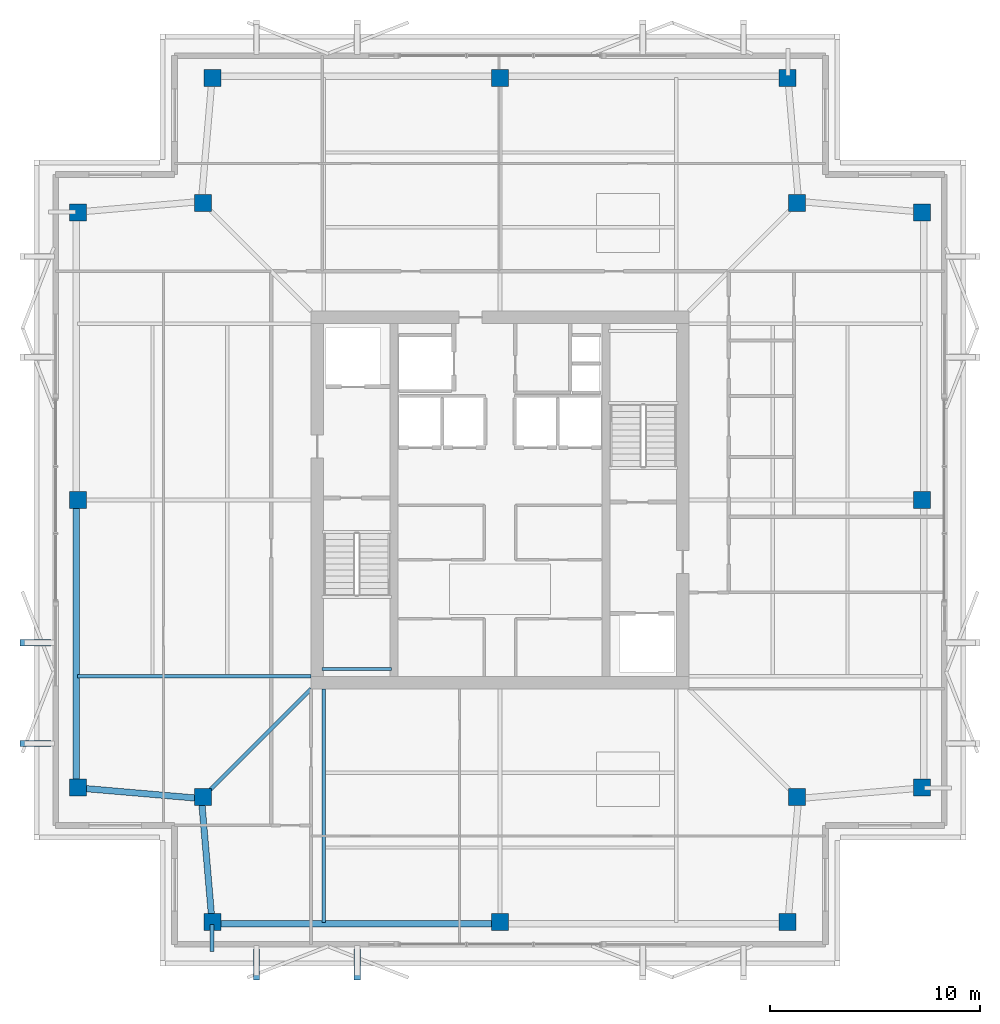
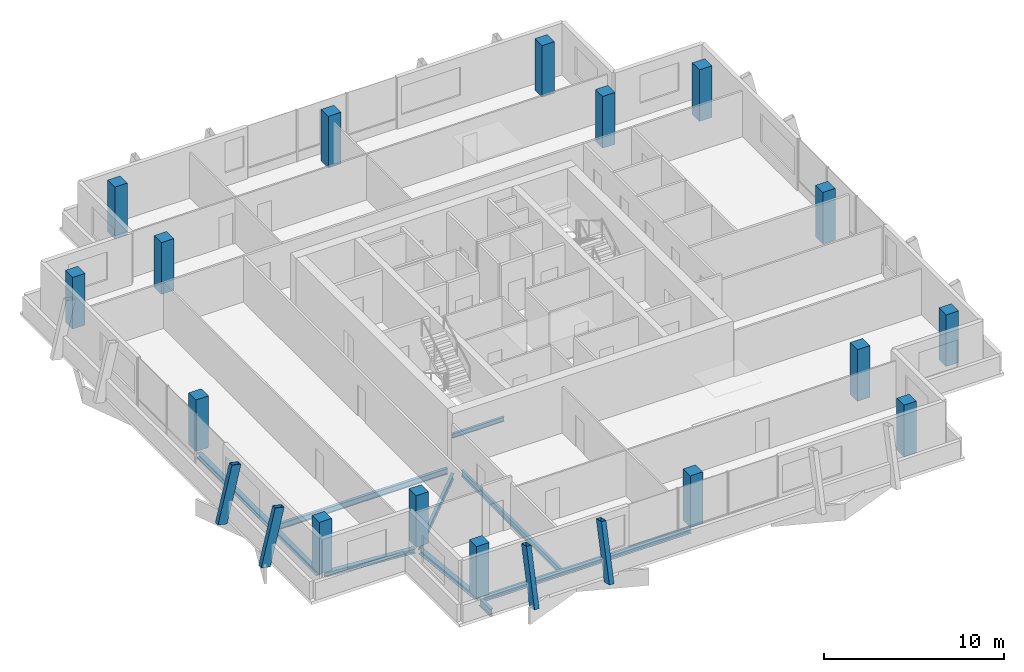
# One storey, part 1 of 18: 16 columns, 9 beams, 4 members.
"""IFC4 building model written with IfcOpenShell, lengths in metres."""

from ifc_helpers import new_model, si_unit, direction, frame, origin, origin_2d, place, context, subcontext, project, spatial, rectangle, hollow_rectangle, i_section, extrude, material, material_profile, profile_set, type_object, element, save


model = new_model("IFC4")

# Units and contexts
model_context = context("Model", 3, precision=1e-05, world=origin(), true_north=direction((0.0, 1.0)))
body_context = subcontext(model_context, "Body", "Model", "MODEL_VIEW")
ifc_project = project(units=[si_unit("LENGTHUNIT", "METRE"), si_unit("AREAUNIT", "SQUARE_METRE"), si_unit("VOLUMEUNIT", "CUBIC_METRE"), si_unit("PLANEANGLEUNIT", "RADIAN"), si_unit("MASSUNIT", "GRAM", prefix="KILO")], contexts=[model_context])

# Site, building, storey
site_placement = place(None, origin())
site = spatial("IfcSite", under=ifc_project, at=site_placement, CompositionType="ELEMENT")
building_placement = place(site_placement, origin())
building = spatial("IfcBuilding", under=site, at=building_placement, Name="Belovzor Exchange Tower", CompositionType="ELEMENT")
storey_placement = place(building_placement, frame((0.0, 0.0, 344.25)))
storey = spatial("IfcBuildingStorey", under=building, at=storey_placement, Name="L86", CompositionType="ELEMENT", Elevation=344.25)

# Columns
ifc_material_1 = material(Name="Concrete C50/60", Category="concrete")
ifc_material_profile_1 = material_profile(ifc_material_1, rectangle(XDim=0.800048828125, YDim=0.800048828125, at=origin_2d()))
ifc_profile_set_1 = profile_set([ifc_material_profile_1], Name="Concrete C50/60")
column_type = type_object("IfcColumnType", Name="Reinforced Concrete Tower Column 800x800", PredefinedType="COLUMN", material=ifc_profile_set_1)
for number, where, z_axis, x_axis, name in (
    (1, (15.10009765625, 8.699951171875, 0.0029296875), (0.0, 0.0, 1.0), (1.0, 0.0, 0.0), "COL-T080 Reinforced Concrete Tower Column 800x800"),
    (2, (28.800048828125, 8.699951171875, 0.0029296875), (0.0, 0.0, 1.0), (1.0, 0.0, 0.0), "COL-T080 Reinforced Concrete Tower Column 800x800"),
    (3, (42.5, 8.699951171875, 0.0029296875), (0.0, 0.0, 1.0), (1.0, 0.0, 0.0), "COL-T080 Reinforced Concrete Tower Column 800x800"),
    (4, (48.89990234375, 15.10009765625, 0.0029296875), (0.0, 0.0, 1.0), (1.0, 0.0, 0.0), "COL-T080 Reinforced Concrete Tower Column 800x800"),
    (5, (48.89990234375, 28.800048828125, 0.0029296875), (0.0, 0.0, 1.0), (1.0, 0.0, 0.0), "COL-T080 Reinforced Concrete Tower Column 800x800"),
    (6, (48.89990234375, 42.5, 0.0029296875), (0.0, 0.0, 1.0), (1.0, 0.0, 0.0), "COL-T080 Reinforced Concrete Tower Column 800x800"),
    (7, (42.5, 48.89990234375, 0.0029296875), (0.0, 0.0, 1.0), (1.0, 0.0, 0.0), "COL-T080 Reinforced Concrete Tower Column 800x800"),
    (8, (28.800048828125, 48.89990234375, 0.0029296875), (0.0, 0.0, 1.0), (1.0, 0.0, 0.0), "COL-T080 Reinforced Concrete Tower Column 800x800"),
    (9, (15.10009765625, 48.89990234375, 0.0029296875), (0.0, 0.0, 1.0), (1.0, 0.0, 0.0), "COL-T080 Reinforced Concrete Tower Column 800x800"),
    (10, (8.699951171875, 42.5, 0.0029296875), (0.0, 0.0, 1.0), (1.0, 0.0, 0.0), "COL-T080 Reinforced Concrete Tower Column 800x800"),
    (11, (8.699951171875, 28.800048828125, 0.0029296875), (0.0, 0.0, 1.0), (1.0, 0.0, 0.0), "COL-T080 Reinforced Concrete Tower Column 800x800"),
    (12, (8.699951171875, 15.10009765625, 0.0029296875), (0.0, 0.0, 1.0), (1.0, 0.0, 0.0), "COL-T080 Reinforced Concrete Tower Column 800x800"),
    (13, (14.64990234375, 14.64990234375, 0.0029296875), (0.0, 0.0, 1.0), (1.0, 0.0, 0.0), "COL-T080 Reinforced Concrete Tower Column 800x800"),
    (14, (42.949951171875, 14.64990234375, 0.0029296875), (0.0, 0.0, 1.0), (1.0, 0.0, 0.0), "COL-T080 Reinforced Concrete Tower Column 800x800"),
    (15, (42.949951171875, 42.949951171875, 0.0029296875), (0.0, 0.0, 1.0), (1.0, 0.0, 0.0), "COL-T080 Reinforced Concrete Tower Column 800x800"),
    (16, (14.64990234375, 42.949951171875, 0.0029296875), (0.0, 0.0, 1.0), (1.0, 0.0, 0.0), "COL-T080 Reinforced Concrete Tower Column 800x800"),
):
    element("IfcColumn", number, at=place(storey_placement, frame(where, z_axis=z_axis, x_axis=x_axis)), inside=storey, type_object=column_type, Name=name, PredefinedType="COLUMN", context=body_context, shape_type="SweptSolid", body=[
        extrude(rectangle(XDim=0.800048828125, YDim=0.800048828125, at=origin_2d()), origin(), (0.0, 0.0, 1.0), 3.504150390625),
    ])

# Beams
ifc_material_2 = material(Name="Steel S355", Category="steel")
ifc_material_profile_2 = material_profile(ifc_material_2, i_section(OverallWidth=0.199951171875, OverallDepth=0.5, WebThickness=0.01025390625, FlangeThickness=0.01611328125, at=origin_2d()))
ifc_profile_set_2 = profile_set([ifc_material_profile_2], Name="Steel S355")
beam_type_1 = type_object("IfcBeamType", Name="Planted Balcony Cantilever Beam IPE 500", PredefinedType="BEAM", material=ifc_profile_set_2)
beam_1_placement = place(storey_placement, frame((15.0869140625, 8.58203125, -0.489990234375), z_axis=(0.0, -1.0, 0.0), x_axis=(1.0, 0.0, 0.0)))
element("IfcBeam", 17, at=beam_1_placement, inside=storey, type_object=beam_type_1, Name="BC-500 Planted Balcony Cantilever Beam IPE 500", PredefinedType="BEAM", context=body_context, shape_type="SweptSolid", body=[
    extrude(i_section(OverallWidth=0.199951171875, OverallDepth=0.5, WebThickness=0.01025390625, FlangeThickness=0.01611328125, at=origin_2d()), origin(), (0.0, 0.0, 1.0), 1.281982421875),
])
ifc_material_3 = material(Name="Steel S355", Category="steel")
ifc_material_profile_3 = material_profile(ifc_material_3, i_section(OverallWidth=0.14990234375, OverallDepth=0.300048828125, WebThickness=0.007080078125, FlangeThickness=0.0107421875, at=origin_2d()))
ifc_profile_set_3 = profile_set([ifc_material_profile_3], Name="Steel S355")
beam_type_2 = type_object("IfcBeamType", Name="Secondary Trim Floor Joist IPE 300", PredefinedType="BEAM", material=ifc_profile_set_3)
beam_2_placement = place(storey_placement, frame((20.320068359375, 20.75, 1.52490234375), z_axis=(1.0, 0.0, 0.0), x_axis=(0.0, 1.0, 0.0)))
element("IfcBeam", 18, at=beam_2_placement, inside=storey, type_object=beam_type_2, Name="FJ-300 Secondary Trim Floor Joist IPE 300", PredefinedType="BEAM", context=body_context, shape_type="SweptSolid", body=[
    extrude(i_section(OverallWidth=0.14990234375, OverallDepth=0.300048828125, WebThickness=0.007080078125, FlangeThickness=0.0107421875, at=origin_2d()), origin(), (0.0, 0.0, 1.0), 3.309814453125),
])

# Members
ifc_material_4 = material(Name="Extruded Architectural Terracotta on Steel S355 Carrier", Category="masonry")
ifc_material_profile_4 = material_profile(ifc_material_4, hollow_rectangle(XDim=0.300048828125, YDim=0.60009765625, WallThickness=0.01611328125, at=origin_2d()))
ifc_profile_set_4 = profile_set([ifc_material_profile_4], Name="Extruded Architectural Terracotta on Steel S355 Carrier")
member_type = type_object("IfcMemberType", Name="Upper Crown Terracotta Fin Assembly 550", PredefinedType="USERDEFINED", material=ifc_profile_set_4)
for number, where, z_axis, x_axis, name in (
    (19, (17.199951171875, 6.22509765625, -0.239990234375), (0.0, 0.233349008819, 0.972393048146), (-1.0, 0.0, 0.0), "FIN-TC055 Terracotta Facade Fin L86 S1"),
    (20, (6.22509765625, 17.199951171875, -0.239990234375), (0.233349008819, 0.0, 0.972393048146), (0.0, 1.0, 0.0), "FIN-TC055 Terracotta Facade Fin L86 W1"),
    (21, (22.0, 6.22509765625, -0.239990234375), (0.0, 0.233349008819, 0.972393048146), (-1.0, 0.0, 0.0), "FIN-TC055 Terracotta Facade Fin L86 S2"),
    (22, (6.22509765625, 22.0, -0.239990234375), (0.233349008819, 0.0, 0.972393048146), (0.0, 1.0, 0.0), "FIN-TC055 Terracotta Facade Fin L86 W2"),
):
    element("IfcMember", number, at=place(storey_placement, frame(where, z_axis=z_axis, x_axis=x_axis)), inside=storey, type_object=member_type, Name=name, ObjectType="FIN", PredefinedType="USERDEFINED", context=body_context, shape_type="SweptSolid", body=[
        extrude(hollow_rectangle(XDim=0.300048828125, YDim=0.60009765625, WallThickness=0.01611328125, at=origin_2d()), origin(), (0.0, 0.0, 1.0), 3.8564453125),
    ])

# Beams
ifc_material_5 = material(Name="Steel S355", Category="steel")
ifc_material_profile_5 = material_profile(ifc_material_5, i_section(OverallWidth=0.179931640625, OverallDepth=0.39990234375, WebThickness=0.008544921875, FlangeThickness=0.013427734375, at=origin_2d()))
ifc_profile_set_5 = profile_set([ifc_material_profile_5], Name="Steel S355")
beam_type_3 = type_object("IfcBeamType", Name="Zone 5-6 Radial Composite Floor Beam IPE 400", PredefinedType="BEAM", material=ifc_profile_set_5)
for number, where, z_axis, x_axis, name in (
    (23, (20.39990234375, 19.800048828125, -0.43994140625), (0.0, -1.0, 0.0), (1.0, 0.0, 0.0), "FB-400 Zone 5-6 Radial Composite Floor Beam IPE 400"),
    (24, (19.800048828125, 20.39990234375, -0.43994140625), (-1.0, 0.0, 0.0), (0.0, -1.0, 0.0), "FB-400 Zone 5-6 Radial Composite Floor Beam IPE 400"),
):
    element("IfcBeam", number, at=place(storey_placement, frame(where, z_axis=z_axis, x_axis=x_axis)), inside=storey, type_object=beam_type_3, Name=name, PredefinedType="BEAM", context=body_context, shape_type="SweptSolid", body=[
        extrude(i_section(OverallWidth=0.179931640625, OverallDepth=0.39990234375, WebThickness=0.008544921875, FlangeThickness=0.013427734375, at=origin_2d()), origin(), (0.0, 0.0, 1.0), 11.119140625),
    ])
beam_3_placement = place(storey_placement, frame((19.800048828125, 19.800048828125, -0.43994140625), z_axis=(-0.707106781187, -0.707106781187, 0.0), x_axis=(0.707106781187, -0.707106781187, 0.0)))
element("IfcBeam", 25, at=beam_3_placement, inside=storey, type_object=beam_type_3, Name="FB-400 Zone 5-6 Radial Composite Floor Beam IPE 400", PredefinedType="BEAM", context=body_context, shape_type="SweptSolid", body=[
    extrude(i_section(OverallWidth=0.179931640625, OverallDepth=0.39990234375, WebThickness=0.008544921875, FlangeThickness=0.013427734375, at=origin_2d()), origin(), (0.0, 0.0, 1.0), 7.103515625),
])
ifc_material_6 = material(Name="Steel S355", Category="steel")
ifc_material_profile_6 = material_profile(ifc_material_6, i_section(OverallWidth=0.300048828125, OverallDepth=0.300048828125, WebThickness=0.008544921875, FlangeThickness=0.013916015625, at=origin_2d()))
ifc_profile_set_6 = profile_set([ifc_material_profile_6], Name="Steel S355")
beam_type_4 = type_object("IfcBeamType", Name="Zone 6 Primary Girder HEA 300", PredefinedType="BEAM", material=ifc_profile_set_6)
beam_4_placement = place(storey_placement, frame((14.595947265625, 14.35791015625, -0.389892578125), z_axis=(0.085552018284, -0.996333705225, 0.0), x_axis=(0.996333705225, 0.085552018284, 0.0)))
element("IfcBeam", 26, at=beam_4_placement, inside=storey, type_object=beam_type_4, Name="FG-Z6 Zone 6 Primary Girder HEA 300", PredefinedType="BEAM", context=body_context, shape_type="SweptSolid", body=[
    extrude(i_section(OverallWidth=0.300048828125, OverallDepth=0.300048828125, WebThickness=0.008544921875, FlangeThickness=0.013916015625, at=origin_2d()), origin(), (0.0, 0.0, 1.0), 5.55322265625),
])
for number, where, z_axis, x_axis, name in (
    (27, (15.31005859375, 8.60595703125, -0.389892578125), (1.0, 0.0, 0.0), (0.0, 1.0, 0.0), "FG-Z6 Zone 6 Primary Girder HEA 300"),
    (28, (8.60595703125, 28.580078125, -0.389892578125), (0.0, -1.0, 0.0), (1.0, 0.0, 0.0), "FG-Z6 Zone 6 Primary Girder HEA 300"),
):
    element("IfcBeam", number, at=place(storey_placement, frame(where, z_axis=z_axis, x_axis=x_axis)), inside=storey, type_object=beam_type_4, Name=name, PredefinedType="BEAM", context=body_context, shape_type="SweptSolid", body=[
        extrude(i_section(OverallWidth=0.300048828125, OverallDepth=0.300048828125, WebThickness=0.008544921875, FlangeThickness=0.013916015625, at=origin_2d()), origin(), (0.0, 0.0, 1.0), 13.27001953125),
    ])
beam_5_placement = place(storey_placement, frame((8.824951171875, 15.071044921875, -0.389892578125), z_axis=(0.996333705225, -0.085552018284, 0.0), x_axis=(0.085552018284, 0.996333705225, 0.0)))
element("IfcBeam", 29, at=beam_5_placement, inside=storey, type_object=beam_type_4, Name="FG-Z6 Zone 6 Primary Girder HEA 300", PredefinedType="BEAM", context=body_context, shape_type="SweptSolid", body=[
    extrude(i_section(OverallWidth=0.300048828125, OverallDepth=0.300048828125, WebThickness=0.008544921875, FlangeThickness=0.013916015625, at=origin_2d()), origin(), (0.0, 0.0, 1.0), 5.55322265625),
])

save(model, "model.ifc")
